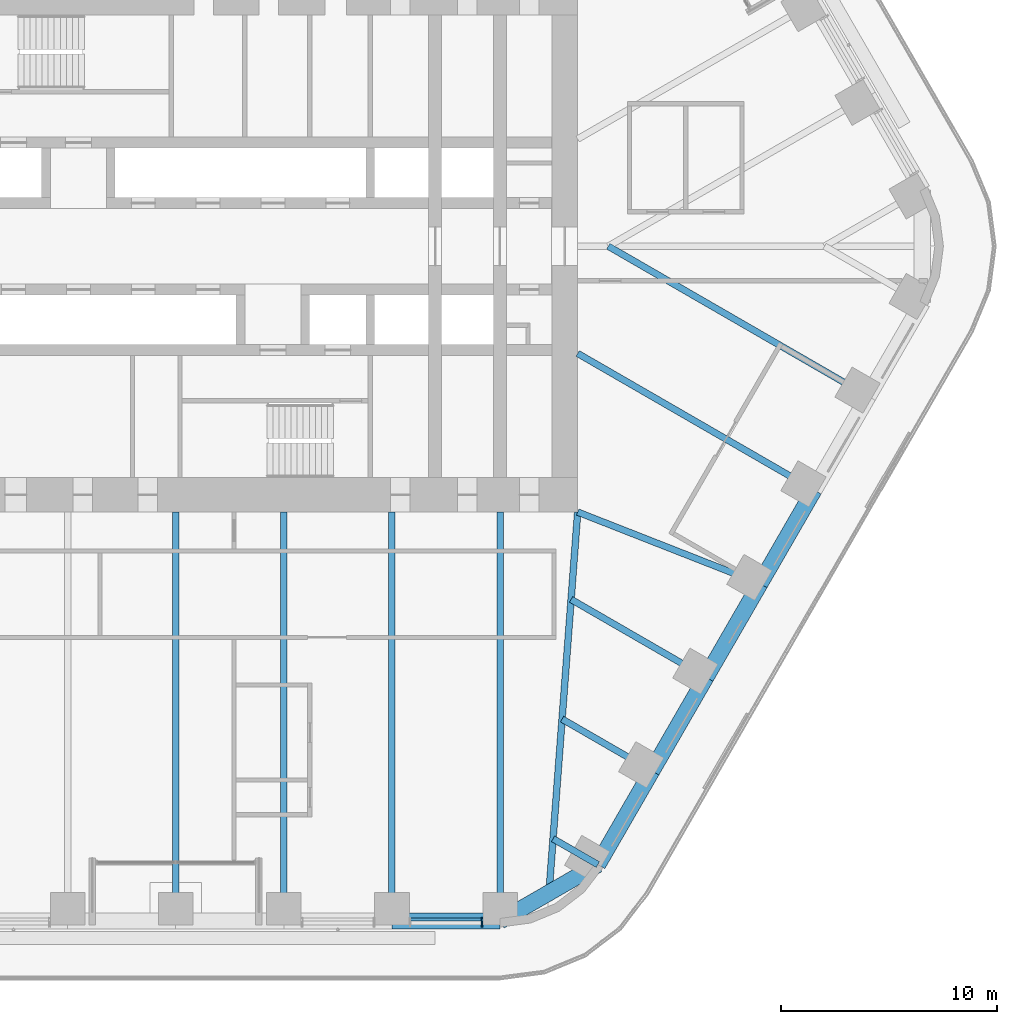
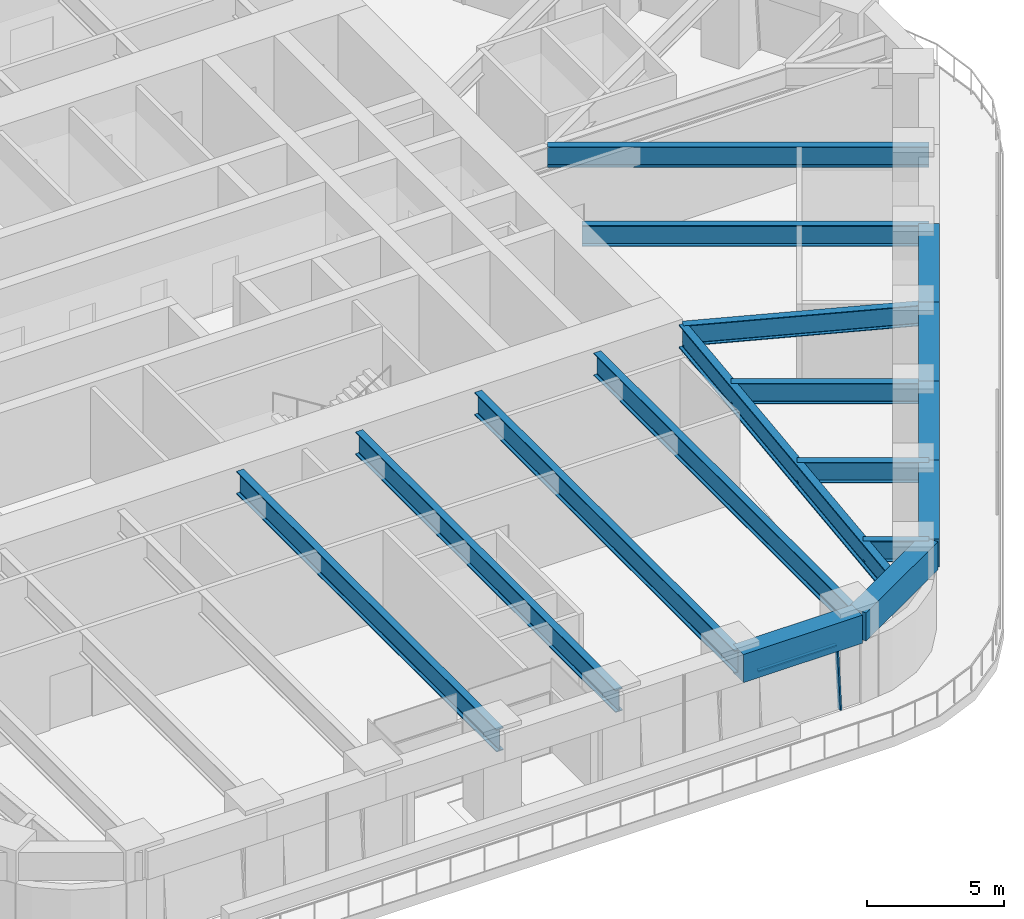
# One storey, part 5 of 24: 17 beams, 2 members, 1 element without a shape of its own.
"""IFC4 building model written with IfcOpenShell, lengths in metres."""

from ifc_helpers import new_model, si_unit, direction, frame, origin, origin_2d, place, context, subcontext, project, spatial, rectangle, i_section, extrude, material, material_profile, profile_set, type_object, element, aggregate, save


model = new_model("IFC4")

# Units and contexts
model_context = context("Model", 3, precision=1e-05, world=origin(), true_north=direction((0.0, 1.0)))
body_context = subcontext(model_context, "Body", "Model", "MODEL_VIEW")
ifc_project = project(units=[si_unit("LENGTHUNIT", "METRE"), si_unit("AREAUNIT", "SQUARE_METRE"), si_unit("VOLUMEUNIT", "CUBIC_METRE"), si_unit("PLANEANGLEUNIT", "RADIAN"), si_unit("MASSUNIT", "GRAM", prefix="KILO")], contexts=[model_context])

# Site, building, storey
site_placement = place(None, origin())
site = spatial("IfcSite", under=ifc_project, at=site_placement, CompositionType="ELEMENT")
building_placement = place(site_placement, origin())
building = spatial("IfcBuilding", under=site, at=building_placement, Name="Tarfa Lantern Tower", CompositionType="ELEMENT")
storey_placement = place(building_placement, frame((0.0, 0.0, 157.300048828125)))
storey = spatial("IfcBuildingStorey", under=building, at=storey_placement, Name="L35", CompositionType="ELEMENT", Elevation=157.300048828125)

# Curtain wall, members
ifc_material_1 = material(Name="Aluminium framed curtain wall", Category="aluminium")
curtain_wall_type = type_object("IfcCurtainWallType", Name="CW2 CANTED GLAZING MID ZONE 2750", PredefinedType="USERDEFINED", material=ifc_material_1)
curtain_wall_placement = place(storey_placement, origin())
curtain_wall = element("IfcCurtainWall", 1, at=curtain_wall_placement, inside=storey, type_object=curtain_wall_type, Name="CW2 SB L35", ObjectType="CURTAIN WALL", PredefinedType="USERDEFINED")
ifc_material_2 = material(Name="Aluminium mullion", Category="aluminium")
ifc_material_profile_1 = material_profile(ifc_material_2, rectangle(XDim=0.06494140625, YDim=0.199951171875, at=origin_2d()), Name="AL MULLION 65x200")
ifc_profile_set_1 = profile_set([ifc_material_profile_1], Name="Aluminium mullion")
member_type_1 = type_object("IfcMemberType", Name="CWM1 MULLION 65x200", PredefinedType="MULLION", material=ifc_profile_set_1)
member_1_placement = place(storey_placement, frame((14.1787109375, -31.39990234375, 0.0), z_axis=(0.0, 0.090535746043, 0.995893206468), x_axis=(-1.0, 0.0, 0.0)))
member_1 = element("IfcMember", 2, at=member_1_placement, type_object=member_type_1, Name="CW2 mullion 2", PredefinedType="MULLION", context=body_context, shape_type="SweptSolid", body=[
    extrude(rectangle(XDim=0.06494140625, YDim=0.199951171875, at=origin_2d()), origin(), (0.0, 0.0, 1.0), 2.76123046875),
])
ifc_material_3 = material(Name="Aluminium transom", Category="aluminium")
ifc_material_profile_2 = material_profile(ifc_material_3, rectangle(XDim=0.14990234375, YDim=0.06494140625, at=origin_2d()), Name="AL TRANSOM 150x65")
ifc_profile_set_2 = profile_set([ifc_material_profile_2], Name="Aluminium transom")
member_type_2 = type_object("IfcMemberType", Name="CWT1 TRANSOM 150x65", PredefinedType="USERDEFINED", material=ifc_profile_set_2)
member_2_placement = place(storey_placement, frame((10.872314453125, -31.153076171875, 2.717529296875), z_axis=(1.0, 0.0, 0.0), x_axis=(0.0, 1.0, 0.0)))
member_2 = element("IfcMember", 3, at=member_2_placement, type_object=member_type_2, Name="CW2 transom 1.2", ObjectType="TRANSOM", PredefinedType="USERDEFINED", context=body_context, shape_type="SweptSolid", body=[
    extrude(rectangle(XDim=0.14990234375, YDim=0.06494140625, at=origin_2d()), origin(), (0.0, 0.0, 1.0), 3.273681640625),
])
aggregate(curtain_wall, [member_1, member_2])

# Beams
ifc_material_4 = material(Name="Concrete C80/95", Category="concrete")
ifc_material_profile_3 = material_profile(ifc_material_4, rectangle(XDim=0.75, YDim=1.25, at=origin_2d()), Name="RC 750x1250")
ifc_profile_set_3 = profile_set([ifc_material_profile_3], Name="Concrete C80/95")
beam_type_1 = type_object("IfcBeamType", Name="EB2 RC 750x1250", PredefinedType="SPANDREL", material=ifc_profile_set_3)
beam_1_placement = place(storey_placement, frame((10.00732421875, -31.219970703125, 3.375), z_axis=(1.0, 0.0, 0.0), x_axis=(0.0, 1.0, 0.0)))
element("IfcBeam", 4, at=beam_1_placement, inside=storey, type_object=beam_type_1, Name="Edge beam S5", PredefinedType="SPANDREL", context=body_context, shape_type="SweptSolid", body=[
    extrude(rectangle(XDim=0.75, YDim=1.25, at=origin_2d()), origin(), (0.0, 0.0, 1.0), 5.003662109375),
])
beam_2_placement = place(storey_placement, frame((15.010986328125, -31.219970703125, 3.375), z_axis=(0.86604150238, 0.499972115377, 0.0), x_axis=(-0.499972115377, 0.86604150238, 0.0)))
element("IfcBeam", 5, at=beam_2_placement, inside=storey, type_object=beam_type_1, Name="Edge beam S6", PredefinedType="SPANDREL", context=body_context, shape_type="SweptSolid", body=[
    extrude(rectangle(XDim=0.75, YDim=1.25, at=origin_2d()), origin(), (0.0, 0.0, 1.0), 5.219970703125),
])
beam_3_placement = place(storey_placement, frame((19.53173828125, -28.610107421875, 3.375), z_axis=(0.500001197378, 0.866024712477, 0.0), x_axis=(-0.866024712477, 0.500001197378, 0.0)))
element("IfcBeam", 6, at=beam_3_placement, inside=storey, type_object=beam_type_1, Name="Edge beam SE0", PredefinedType="SPANDREL", context=body_context, shape_type="SweptSolid", body=[
    extrude(rectangle(XDim=0.75, YDim=1.25, at=origin_2d()), origin(), (0.0, 0.0, 1.0), 5.00390625),
])
for number, where, z_axis, x_axis, name in (
    (7, (22.03369140625, -24.276611328125, 3.375), (0.49998573051, 0.866033642122, 0.0), (-0.866033642122, 0.49998573051, 0.0), "Edge beam SE1"),
    (8, (24.535400390625, -19.943359375, 3.375), (0.500022324899, 0.866012514114, 0.0), (-0.866012514114, 0.500022324899, 0.0), "Edge beam SE2"),
    (9, (27.037353515625, -15.610107421875, 3.375), (0.499964603504, 0.866045838996, 0.0), (-0.866045838996, 0.499964603504, 0.0), "Edge beam SE3"),
):
    element("IfcBeam", number, at=place(storey_placement, frame(where, z_axis=z_axis, x_axis=x_axis)), inside=storey, type_object=beam_type_1, Name=name, PredefinedType="SPANDREL", context=body_context, shape_type="SweptSolid", body=[
        extrude(rectangle(XDim=0.75, YDim=1.25, at=origin_2d()), origin(), (0.0, 0.0, 1.0), 5.003662109375),
    ])
ifc_material_5 = material(Name="Steel S460M", Category="steel")
ifc_material_profile_4 = material_profile(ifc_material_5, i_section(OverallWidth=0.302001953125, OverallDepth=1.008056640625, WebThickness=0.02099609375, FlangeThickness=0.0400390625, FilletRadius=0.030029296875, at=origin_2d()), Name="UB1016x305x349")
ifc_profile_set_4 = profile_set([ifc_material_profile_4], Name="Steel S460M")
beam_type_2 = type_object("IfcBeamType", Name="UB1016x305x349", PredefinedType="BEAM", material=ifc_profile_set_4)
for number, where, z_axis, x_axis, name in (
    (10, (0.0, -31.219970703125, 3.495849609375), (0.0, 1.0, 0.0), (-1.0, 0.0, 0.0), "Floor beam S3"),
    (11, (5.003662109375, -31.219970703125, 3.495849609375), (0.0, 1.0, 0.0), (-1.0, 0.0, 0.0), "Floor beam S4"),
    (12, (10.00732421875, -31.219970703125, 3.495849609375), (0.0, 1.0, 0.0), (-1.0, 0.0, 0.0), "Floor beam S5"),
    (13, (15.010986328125, -31.219970703125, 3.495849609375), (0.0, 1.0, 0.0), (-1.0, 0.0, 0.0), "Floor beam S6"),
):
    element("IfcBeam", number, at=place(storey_placement, frame(where, z_axis=z_axis, x_axis=x_axis)), inside=storey, type_object=beam_type_2, Name=name, PredefinedType="BEAM", context=body_context, shape_type="SweptSolid", body=[
        extrude(i_section(OverallWidth=0.302001953125, OverallDepth=1.008056640625, WebThickness=0.02099609375, FlangeThickness=0.0400390625, FilletRadius=0.030029296875, at=origin_2d()), origin(), (0.0, 0.0, 1.0), 18.919921875),
    ])
ifc_material_profile_5 = material_profile(ifc_material_5, i_section(OverallWidth=0.30859375, OverallDepth=1.036376953125, WebThickness=0.030029296875, FlangeThickness=0.05419921875, FilletRadius=0.030029296875, at=origin_2d()), Name="UB1016x305x487")
ifc_profile_set_5 = profile_set([ifc_material_profile_5], Name="Steel S460M")
beam_type_3 = type_object("IfcBeamType", Name="UB1016x305x487", PredefinedType="BEAM", material=ifc_profile_set_5)
beam_4_placement = place(storey_placement, frame((18.60009765625, -12.300048828125, 3.481689453125), z_axis=(-0.075211516041, -0.99716760269, 0.0), x_axis=(0.99716760269, -0.075211516041, 0.0)))
element("IfcBeam", 14, at=beam_4_placement, inside=storey, type_object=beam_type_3, Name="Hip girder SE", PredefinedType="BEAM", context=body_context, shape_type="SweptSolid", body=[
    extrude(i_section(OverallWidth=0.30859375, OverallDepth=1.036376953125, WebThickness=0.030029296875, FlangeThickness=0.05419921875, FilletRadius=0.030029296875, at=origin_2d()), origin(), (0.0, 0.0, 1.0), 17.6650390625),
])
ifc_material_profile_6 = material_profile(ifc_material_5, i_section(OverallWidth=0.305419921875, OverallDepth=0.91845703125, WebThickness=0.017333984375, FlangeThickness=0.02783203125, FilletRadius=0.01904296875, at=origin_2d()), Name="UB914x305x253")
ifc_profile_set_6 = profile_set([ifc_material_profile_6], Name="Steel S460M")
beam_type_4 = type_object("IfcBeamType", Name="UB914x305x253", PredefinedType="BEAM", material=ifc_profile_set_6)
beam_5_placement = place(storey_placement, frame((19.53173828125, -28.610107421875, 3.540771484375), z_axis=(-0.865998640954, 0.500046351717, 0.0), x_axis=(-0.500046351717, -0.865998640954, 0.0)))
element("IfcBeam", 15, at=beam_5_placement, inside=storey, type_object=beam_type_4, Name="Floor beam SE0", PredefinedType="BEAM", context=body_context, shape_type="SweptSolid", body=[
    extrude(i_section(OverallWidth=0.305419921875, OverallDepth=0.91845703125, WebThickness=0.017333984375, FlangeThickness=0.02783203125, FilletRadius=0.01904296875, at=origin_2d()), origin(), (0.0, 0.0, 1.0), 2.392333984375),
])
beam_6_placement = place(storey_placement, frame((22.03369140625, -24.276611328125, 3.540771484375), z_axis=(-0.866030550462, 0.499991085587, 0.0), x_axis=(-0.499991085587, -0.866030550462, 0.0)))
element("IfcBeam", 16, at=beam_6_placement, inside=storey, type_object=beam_type_4, Name="Floor beam SE1", PredefinedType="BEAM", context=body_context, shape_type="SweptSolid", body=[
    extrude(i_section(OverallWidth=0.305419921875, OverallDepth=0.91845703125, WebThickness=0.017333984375, FlangeThickness=0.02783203125, FilletRadius=0.01904296875, at=origin_2d()), origin(), (0.0, 0.0, 1.0), 4.798828125),
])
beam_7_placement = place(storey_placement, frame((24.535400390625, -19.943359375, 3.540771484375), z_axis=(-0.86602647304, 0.499998147991, 0.0), x_axis=(-0.499998147991, -0.86602647304, 0.0)))
element("IfcBeam", 17, at=beam_7_placement, inside=storey, type_object=beam_type_4, Name="Floor beam SE2", PredefinedType="BEAM", context=body_context, shape_type="SweptSolid", body=[
    extrude(i_section(OverallWidth=0.305419921875, OverallDepth=0.91845703125, WebThickness=0.017333984375, FlangeThickness=0.02783203125, FilletRadius=0.01904296875, at=origin_2d()), origin(), (0.0, 0.0, 1.0), 7.20556640625),
])
beam_8_placement = place(storey_placement, frame((27.037353515625, -15.610107421875, 3.540771484375), z_axis=(-0.930923282782, 0.365214788274, 0.0), x_axis=(-0.365214788274, -0.930923282782, 0.0)))
element("IfcBeam", 18, at=beam_8_placement, inside=storey, type_object=beam_type_4, Name="Floor beam SE3", PredefinedType="BEAM", context=body_context, shape_type="SweptSolid", body=[
    extrude(i_section(OverallWidth=0.305419921875, OverallDepth=0.91845703125, WebThickness=0.017333984375, FlangeThickness=0.02783203125, FilletRadius=0.01904296875, at=origin_2d()), origin(), (0.0, 0.0, 1.0), 9.063232421875),
])
beam_9_placement = place(storey_placement, frame((29.5390625, -11.276611328125, 3.540771484375), z_axis=(-0.866023362995, 0.500003534735, 0.0), x_axis=(-0.500003534735, -0.866023362995, 0.0)))
element("IfcBeam", 19, at=beam_9_placement, inside=storey, type_object=beam_type_4, Name="Floor beam SE4", PredefinedType="BEAM", context=body_context, shape_type="SweptSolid", body=[
    extrude(i_section(OverallWidth=0.305419921875, OverallDepth=0.91845703125, WebThickness=0.017333984375, FlangeThickness=0.02783203125, FilletRadius=0.01904296875, at=origin_2d()), origin(), (0.0, 0.0, 1.0), 12.63134765625),
])
beam_10_placement = place(storey_placement, frame((32.041015625, -6.943359375, 3.540771484375), z_axis=(-0.866023096411, 0.500003996466, 0.0), x_axis=(-0.500003996466, -0.866023096411, 0.0)))
element("IfcBeam", 20, at=beam_10_placement, inside=storey, type_object=beam_type_4, Name="Floor beam SE5", PredefinedType="BEAM", context=body_context, shape_type="SweptSolid", body=[
    extrude(i_section(OverallWidth=0.305419921875, OverallDepth=0.91845703125, WebThickness=0.017333984375, FlangeThickness=0.02783203125, FilletRadius=0.01904296875, at=origin_2d()), origin(), (0.0, 0.0, 1.0), 13.88671875),
])

save(model, "model.ifc")
